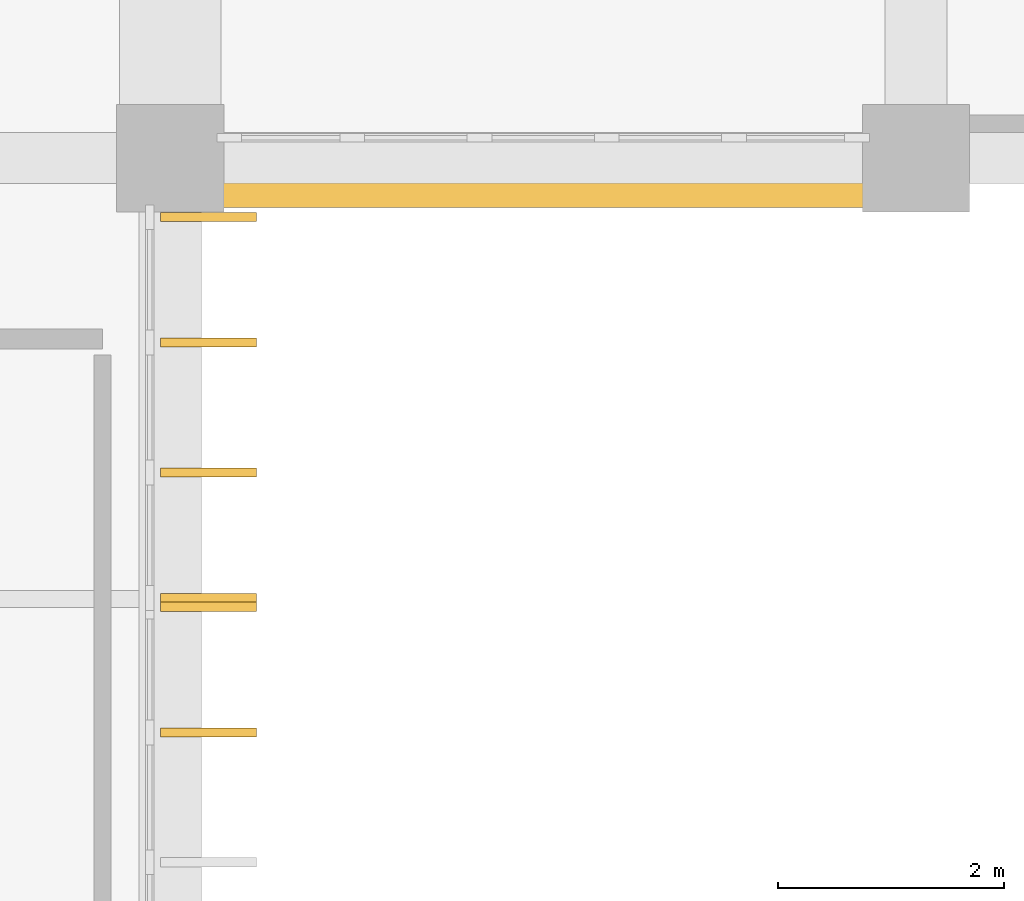
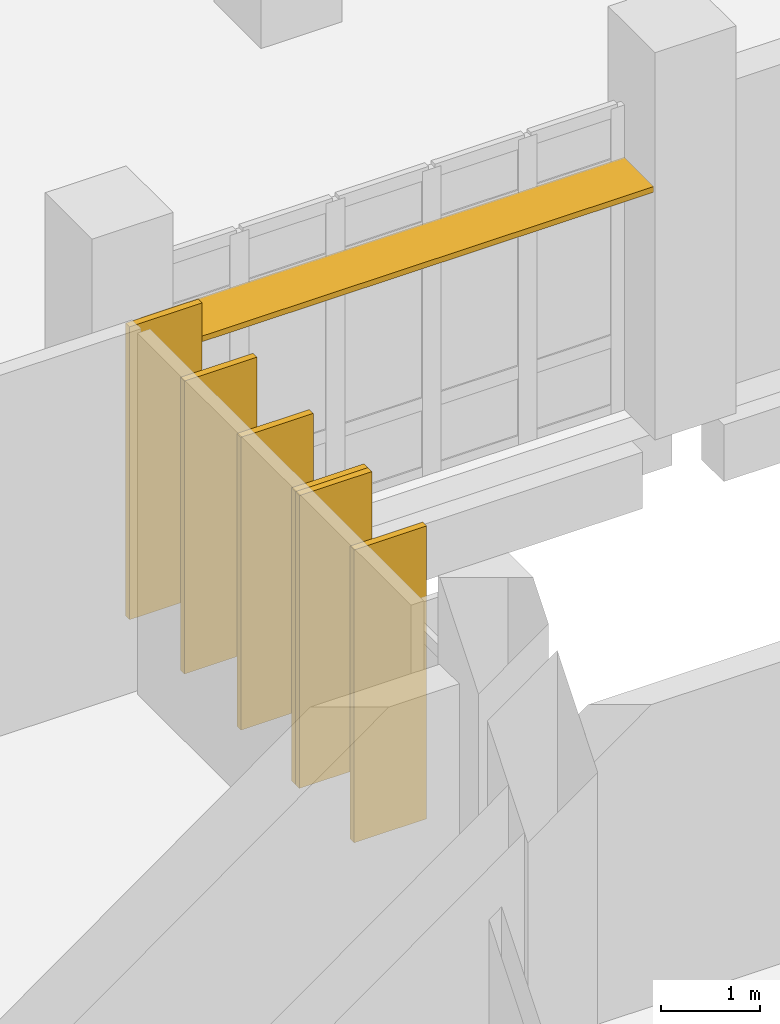
# One storey, part 85 of 90: 7 shading devices.
"""IFC4 building model written with IfcOpenShell, lengths in metres."""

from ifc_helpers import new_model, si_unit, direction, frame, origin, origin_2d, place, context, subcontext, project, spatial, rectangle, extrude, material, layer, layer_set, type_object, element, save


model = new_model("IFC4")

# Units and contexts
model_context = context("Model", 3, precision=1e-05, world=origin(), true_north=direction((0.0, 1.0)))
body_context = subcontext(model_context, "Body", "Model", "MODEL_VIEW")
ifc_project = project(units=[si_unit("LENGTHUNIT", "METRE"), si_unit("AREAUNIT", "SQUARE_METRE"), si_unit("VOLUMEUNIT", "CUBIC_METRE"), si_unit("PLANEANGLEUNIT", "RADIAN"), si_unit("MASSUNIT", "GRAM", prefix="KILO")], contexts=[model_context])

# Site, building, storey
site_placement = place(None, origin())
site = spatial("IfcSite", under=ifc_project, at=site_placement, CompositionType="ELEMENT")
building_placement = place(site_placement, origin())
building = spatial("IfcBuilding", under=site, at=building_placement, Name="Kelarvand Opera House", CompositionType="ELEMENT")
storey_placement = place(building_placement, frame((0.0, 0.0, 5.39990234375)))
storey = spatial("IfcBuildingStorey", under=building, at=storey_placement, Name="L01", CompositionType="ELEMENT", Elevation=5.39990234375)

# Shading devices
ifc_material_1 = material(Name="Anodised bronze acoustic louvre")
ifc_layer_1 = layer(ifc_material_1, 0.070068359375, Name="Anodised bronze acoustic louvre")
ifc_layer_set_1 = layer_set([ifc_layer_1], Name="Anodised bronze acoustic louvre")
shading_device_type_1 = type_object("IfcShadingDeviceType", Name="Horizontal Acoustic and Solar Bronze Louvre 600x70", PredefinedType="USERDEFINED", material=ifc_layer_set_1)
shading_device_placement = place(storey_placement, frame((131.89990234375, 46.465087890625, 3.044921875), z_axis=(0.0, 0.0, 1.0), x_axis=(-1.0, 0.0, 0.0)))
element("IfcShadingDevice", 1, at=shading_device_placement, inside=storey, type_object=shading_device_type_1, Name="V1 Sun Hood Louvre 1", ObjectType="LOUVRE", PredefinedType="USERDEFINED", context=body_context, shape_type="SweptSolid", body=[
    extrude(rectangle(XDim=5.669921875, YDim=0.60009765625, at=origin_2d()), origin(), (0.0, 0.0, 1.0), 0.070068359375),
])
ifc_material_2 = material(Name="Bronze-framed Azarshahr travertine fin", Category="masonry")
ifc_layer_2 = layer(ifc_material_2, 0.080078125, Name="Bronze-framed Azarshahr travertine fin", Category="masonry")
ifc_layer_set_2 = layer_set([ifc_layer_2], Name="Bronze-framed Azarshahr travertine fin")
shading_device_type_2 = type_object("IfcShadingDeviceType", Name="Vertical Travertine-Bronze Solar Fin 850x80", PredefinedType="USERDEFINED", material=ifc_layer_set_2)
for number, where, z_axis, x_axis, name in (
    (2, (128.93994140625, 46.077392578125, 0.000244140625), (0.0, 0.0, 1.0), (1.0, 0.0, 0.0), "V1 Solar Fin 41"),
    (3, (128.93994140625, 44.96728515625, 0.000244140625), (0.0, 0.0, 1.0), (1.0, 0.0, 0.0), "V1 Solar Fin 42"),
    (4, (128.93994140625, 43.8193359375, 0.000244140625), (0.0, 0.0, 1.0), (1.0, 0.0, 0.0), "V1 Solar Fin 43"),
    (5, (128.93994140625, 42.708984375, 0.000244140625), (0.0, 0.0, 1.0), (1.0, 0.0, 0.0), "V1 Solar Fin 44"),
    (6, (128.93994140625, 42.6298828125, 0.000244140625), (0.0, 0.0, 1.0), (1.0, 0.0, 0.0), "V1 Solar Fin 45"),
    (7, (128.93994140625, 41.518310546875, 0.000244140625), (0.0, 0.0, 1.0), (1.0, 0.0, 0.0), "V1 Solar Fin 46"),
):
    element("IfcShadingDevice", number, at=place(storey_placement, frame(where, z_axis=z_axis, x_axis=x_axis)), inside=storey, type_object=shading_device_type_2, Name=name, ObjectType="FIN", PredefinedType="USERDEFINED", context=body_context, shape_type="SweptSolid", body=[
        extrude(rectangle(XDim=0.85009765625, YDim=0.080078125, at=origin_2d()), origin(), (0.0, 0.0, 1.0), 3.6298828125),
    ])

save(model, "model.ifc")
